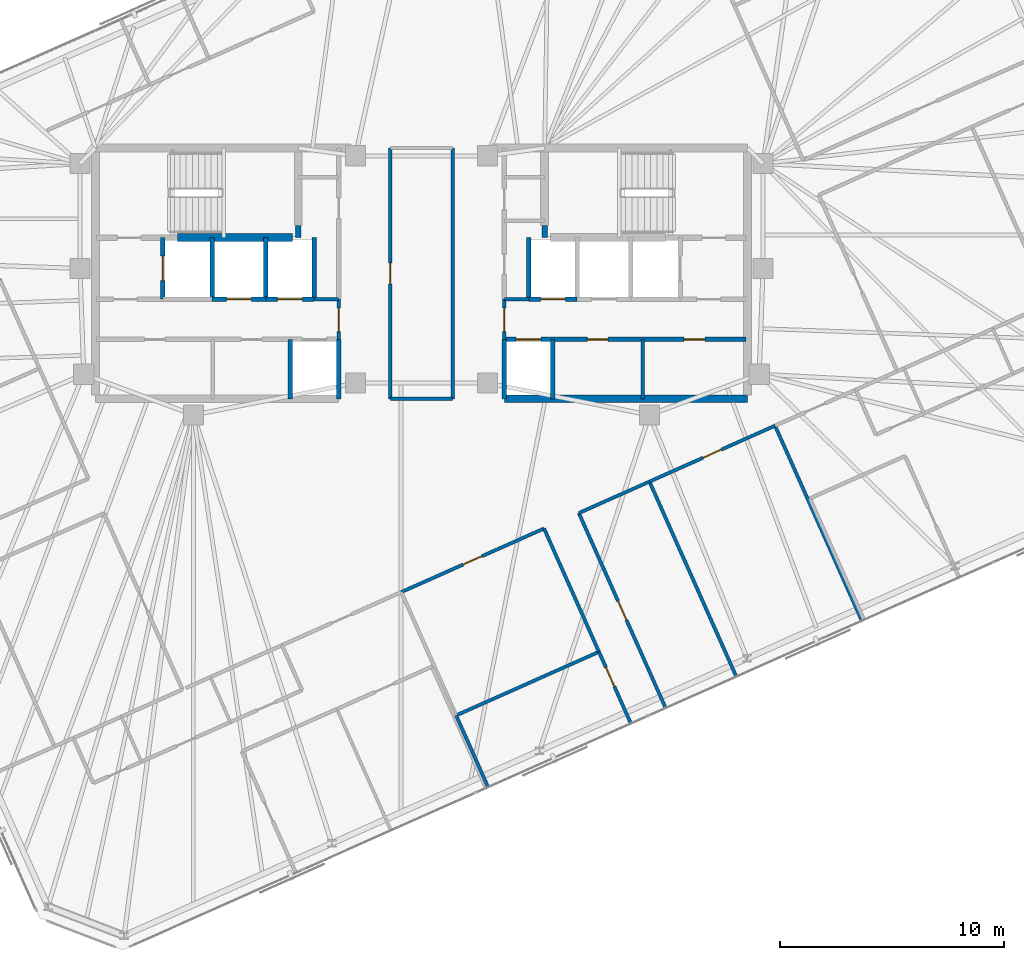
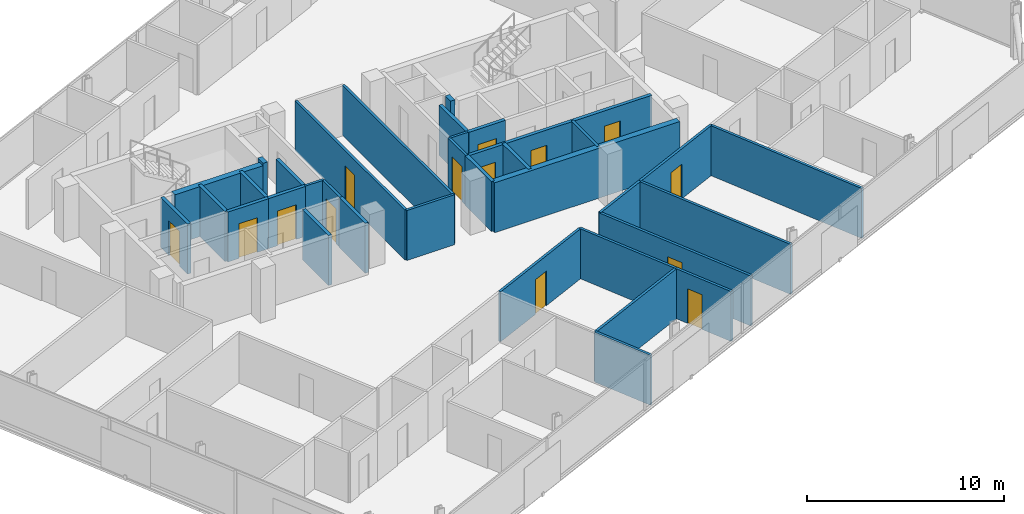
# One storey, part 14 of 18: 35 walls, 14 doors, 14 openings.
"""IFC4 building model written with IfcOpenShell, lengths in metres."""

from ifc_helpers import new_model, si_unit, direction, frame, frame_2d, origin, place, context, subcontext, project, spatial, rectangle, extrude, material, layer, layer_set, type_object, element, fill, save


model = new_model("IFC4")

# Units and contexts
model_context = context("Model", 3, precision=1e-05, world=origin(), true_north=direction((0.0, 1.0)))
body_context = subcontext(model_context, "Body", "Model", "MODEL_VIEW")
ifc_project = project(units=[si_unit("LENGTHUNIT", "METRE"), si_unit("AREAUNIT", "SQUARE_METRE"), si_unit("VOLUMEUNIT", "CUBIC_METRE"), si_unit("PLANEANGLEUNIT", "RADIAN"), si_unit("MASSUNIT", "GRAM", prefix="KILO")], contexts=[model_context])

# Site, building, storey
site_placement = place(None, origin())
site = spatial("IfcSite", under=ifc_project, at=site_placement, CompositionType="ELEMENT")
building_placement = place(site_placement, origin())
building = spatial("IfcBuilding", under=site, at=building_placement, Name="Menara Jurai Vektor", CompositionType="ELEMENT")
storey_placement = place(building_placement, frame((0.0, 0.0, 272.25)))
storey = spatial("IfcBuildingStorey", under=building, at=storey_placement, Name="L73", CompositionType="ELEMENT", Elevation=272.25)

# Wall
ifc_material_1 = material(Name="Concrete C40/50", Category="concrete")
ifc_layer_1 = layer(ifc_material_1, 0.25)
ifc_layer_set_1 = layer_set([ifc_layer_1], Name="Concrete C40/50")
wall_type_1 = type_object("IfcWallType", Name="INT-WALL-CORE-250", PredefinedType="STANDARD", material=ifc_layer_set_1)
wall_1_placement = place(storey_placement, frame((-5.5, 1.60009765625, 0.0), z_axis=(0.0, 0.0, 1.0), x_axis=(0.0, 1.0, 0.0)))
element("IfcWall", 1, at=wall_1_placement, inside=storey, type_object=wall_type_1, Name="Interior Wall IW-250 L73", PredefinedType="STANDARD", context=body_context, shape_type="SweptSolid", body=[
    extrude(rectangle(XDim=0.5498046875, YDim=0.25, at=frame_2d((0.27490234375, 0.0))), origin(), (0.0, 0.0, 1.0), 3.10009765625),
])

# Wall, opening, door
wall_2_placement = place(storey_placement, frame((-11.550048828125, -1.14990234375, 0.0), z_axis=(0.0, 0.0, 1.0), x_axis=(0.0, 1.0, 0.0)))
wall_2 = element("IfcWall", 2, at=wall_2_placement, inside=storey, type_object=wall_type_1, Name="Interior Wall IW-250 L73", PredefinedType="STANDARD", context=body_context, shape_type="SweptSolid", body=[
    extrude(rectangle(XDim=2.75, YDim=0.199951171875, at=frame_2d((1.375, 0.0))), origin(), (0.0, 0.0, 1.0), 3.10009765625),
])
opening_1_placement = place(wall_2_placement, frame((0.824951171875, 0.0, 0.0)))
opening_1 = element("IfcOpeningElement", 3, at=opening_1_placement, cuts=wall_2, Name="Opening LD-L73-FL1", PredefinedType="OPENING", context=body_context, shape_type="SweptSolid", body=[
    extrude(rectangle(XDim=1.10009765625, YDim=2.14990234375, at=frame_2d((0.550048828125, 1.074951171875))), frame((0.0, 0.10986328125, 0.0), z_axis=(0.0, -1.0, 0.0), x_axis=(1.0, 0.0, 0.0)), (0.0, 0.0, 1.0), 0.219970703125),
])
ifc_material_2 = material(Name="Stainless Steel Sliding Lift Landing Door", Category="steel")
door_type_1 = type_object("IfcDoorType", Name="DR-LIFT-FIRE-1100", OperationType="NOTDEFINED", PredefinedType="DOOR", material=ifc_material_2)
door_1_placement = place(opening_1_placement, origin())
door_1 = element("IfcDoor", 4, at=door_1_placement, inside=storey, type_object=door_type_1, Name="Lift Landing Door FL1 L73", OperationType="SLIDING_TO_RIGHT", OverallHeight=2.14990234375, OverallWidth=1.10009765625, PredefinedType="DOOR", context=body_context, shape_type="SweptSolid", body=[
    extrude(rectangle(XDim=1.10009765625, YDim=2.14990234375, at=frame_2d((0.550048828125, 1.074951171875))), frame((0.0, 0.02490234375, 0.0), z_axis=(0.0, -1.0, 0.0), x_axis=(1.0, 0.0, 0.0)), (0.0, 0.0, 1.0), 0.050048828125),
])
fill(opening_1, door_1)

# Walls
wall_3_placement = place(storey_placement, frame((-9.35009765625, -1.14990234375, 0.0), z_axis=(0.0, 0.0, 1.0), x_axis=(0.0, 1.0, 0.0)))
element("IfcWall", 5, at=wall_3_placement, inside=storey, type_object=wall_type_1, Name="Interior Wall IW-250 L73", PredefinedType="STANDARD", context=body_context, shape_type="SweptSolid", body=[
    extrude(rectangle(XDim=2.75, YDim=0.199951171875, at=frame_2d((1.375, 0.0))), origin(), (0.0, 0.0, 1.0), 3.10009765625),
])
wall_4_placement = place(storey_placement, frame((5.5, 1.60009765625, 0.0), z_axis=(0.0, 0.0, 1.0), x_axis=(0.0, 1.0, 0.0)))
element("IfcWall", 6, at=wall_4_placement, inside=storey, type_object=wall_type_1, Name="Interior Wall IW-250 L73", PredefinedType="STANDARD", context=body_context, shape_type="SweptSolid", body=[
    extrude(rectangle(XDim=0.5498046875, YDim=0.25, at=frame_2d((0.27490234375, 0.0))), origin(), (0.0, 0.0, 1.0), 3.10009765625),
])

# Wall, opening, door
ifc_material_3 = material(Name="Gypsum Fireboard Partition", Category="gypsum")
ifc_layer_2 = layer(ifc_material_3, 0.14990234375)
ifc_layer_set_2 = layer_set([ifc_layer_2], Name="Gypsum Fireboard Partition")
wall_type_2 = type_object("IfcWallType", Name="INT-WALL-CORR-150", PredefinedType="PARTITIONING", material=ifc_layer_set_2)
wall_5_placement = place(storey_placement, frame((-3.699951171875, -2.949951171875, 0.0), z_axis=(0.0, 0.0, 1.0), x_axis=(0.0, 1.0, 0.0)))
wall_5 = element("IfcWall", 7, at=wall_5_placement, inside=storey, type_object=wall_type_2, Name="Interior Wall IW-150 L73", PredefinedType="PARTITIONING", context=body_context, shape_type="SweptSolid", body=[
    extrude(rectangle(XDim=1.800048828125, YDim=0.14990234375, at=frame_2d((0.89990234375, 0.0))), origin(), (0.0, 0.0, 1.0), 3.10009765625),
])
opening_2_placement = place(wall_5_placement, frame((0.35009765625, 0.0, 0.0)))
opening_2 = element("IfcOpeningElement", 8, at=opening_2_placement, cuts=wall_5, Name="Opening D-L73-LLW", PredefinedType="OPENING", context=body_context, shape_type="SweptSolid", body=[
    extrude(rectangle(XDim=1.050048828125, YDim=2.179931640625, at=frame_2d((0.52490234375, 1.08984375))), frame((0.0, 0.0849609375, 0.0), z_axis=(0.0, -1.0, 0.0), x_axis=(1.0, 0.0, 0.0)), (0.0, 0.0, 1.0), 0.169921875),
])
ifc_material_4 = material(Name="Fire-Rated Timber Door", Category="wood")
door_type_2 = type_object("IfcDoorType", Name="DR-LOBBY-1050", OperationType="NOTDEFINED", PredefinedType="DOOR", material=ifc_material_4)
door_2_placement = place(opening_2_placement, origin())
door_2 = element("IfcDoor", 9, at=door_2_placement, inside=storey, type_object=door_type_2, Name="Lift Lobby Corridor Door W L73", OperationType="SINGLE_SWING_LEFT", OverallHeight=2.179931640625, OverallWidth=1.050048828125, PredefinedType="DOOR", context=body_context, shape_type="SweptSolid", body=[
    extrude(rectangle(XDim=1.050048828125, YDim=2.179931640625, at=frame_2d((0.52490234375, 1.08984375))), frame((0.0, 0.02490234375, 0.0), z_axis=(0.0, -1.0, 0.0), x_axis=(1.0, 0.0, 0.0)), (0.0, 0.0, 1.0), 0.050048828125),
])
fill(opening_2, door_2)

# Wall
wall_6_placement = place(storey_placement, frame((-4.7900390625, -1.14990234375, 0.0), z_axis=(0.0, 0.0, 1.0), x_axis=(1.0, 0.0, 0.0)))
element("IfcWall", 10, at=wall_6_placement, inside=storey, type_object=wall_type_2, Name="Interior Wall IW-150 L73", PredefinedType="PARTITIONING", context=body_context, shape_type="SweptSolid", body=[
    extrude(rectangle(XDim=1.090087890625, YDim=0.14990234375, at=frame_2d((0.544921875, 0.0))), origin(), (0.0, 0.0, 1.0), 3.10009765625),
])

# Wall, opening, door
wall_7_placement = place(storey_placement, frame((3.699951171875, -2.949951171875, 0.0), z_axis=(0.0, 0.0, 1.0), x_axis=(0.0, 1.0, 0.0)))
wall_7 = element("IfcWall", 11, at=wall_7_placement, inside=storey, type_object=wall_type_2, Name="Interior Wall IW-150 L73", PredefinedType="PARTITIONING", context=body_context, shape_type="SweptSolid", body=[
    extrude(rectangle(XDim=1.800048828125, YDim=0.14990234375, at=frame_2d((0.89990234375, 0.0))), origin(), (0.0, 0.0, 1.0), 3.10009765625),
])
opening_3_placement = place(wall_7_placement, frame((0.35009765625, 0.0, 0.0)))
opening_3 = element("IfcOpeningElement", 12, at=opening_3_placement, cuts=wall_7, Name="Opening D-L73-LLE", PredefinedType="OPENING", context=body_context, shape_type="SweptSolid", body=[
    extrude(rectangle(XDim=1.050048828125, YDim=2.179931640625, at=frame_2d((0.52490234375, 1.08984375))), frame((0.0, 0.0849609375, 0.0), z_axis=(0.0, -1.0, 0.0), x_axis=(1.0, 0.0, 0.0)), (0.0, 0.0, 1.0), 0.169921875),
])
door_3_placement = place(opening_3_placement, frame((1.050048828125, 0.0, 0.0), z_axis=(0.0, 0.0, 1.0), x_axis=(-1.0, 0.0, 0.0)))
door_3 = element("IfcDoor", 13, at=door_3_placement, inside=storey, type_object=door_type_2, Name="Lift Lobby Corridor Door E L73", OperationType="SINGLE_SWING_RIGHT", OverallHeight=2.179931640625, OverallWidth=1.050048828125, PredefinedType="DOOR", context=body_context, shape_type="SweptSolid", body=[
    extrude(rectangle(XDim=1.050048828125, YDim=2.179931640625, at=frame_2d((0.52490234375, 1.08984375))), frame((0.0, 0.02490234375, 0.0), z_axis=(0.0, -1.0, 0.0), x_axis=(1.0, 0.0, 0.0)), (0.0, 0.0, 1.0), 0.050048828125),
])
fill(opening_3, door_3)

# Walls
wall_8_placement = place(storey_placement, frame((3.699951171875, -1.14990234375, 0.0), z_axis=(0.0, 0.0, 1.0), x_axis=(1.0, 0.0, 0.0)))
element("IfcWall", 14, at=wall_8_placement, inside=storey, type_object=wall_type_2, Name="Interior Wall IW-150 L73", PredefinedType="PARTITIONING", context=body_context, shape_type="SweptSolid", body=[
    extrude(rectangle(XDim=1.090087890625, YDim=0.14990234375, at=frame_2d((0.544921875, 0.0))), origin(), (0.0, 0.0, 1.0), 3.10009765625),
])
wall_9_placement = place(storey_placement, frame((9.8798828125, -5.60009765625, 0.0), z_axis=(0.0, 0.0, 1.0), x_axis=(0.0, 1.0, 0.0)))
element("IfcWall", 15, at=wall_9_placement, inside=storey, type_object=wall_type_2, Name="Interior Wall IW-150 L73", PredefinedType="PARTITIONING", context=body_context, shape_type="SweptSolid", body=[
    extrude(rectangle(XDim=2.650146484375, YDim=0.14990234375, at=frame_2d((1.3251953125, 0.0))), origin(), (0.0, 0.0, 1.0), 3.10009765625),
])
wall_10_placement = place(storey_placement, frame((-1.389892578125, -5.60009765625, 0.0), z_axis=(0.0, 0.0, 1.0), x_axis=(0.999999996145, -8.7811731e-05, 0.0)))
element("IfcWall", 16, at=wall_10_placement, inside=storey, type_object=wall_type_2, Name="Interior Wall IW-150 L73", PredefinedType="PARTITIONING", context=body_context, shape_type="SweptSolid", body=[
    extrude(rectangle(XDim=2.7802734375, YDim=0.14990234375, at=frame_2d((1.39013671875, 0.0))), origin(), (0.0, 0.0, 1.0), 3.10009765625),
])

# Wall, opening, door
wall_11_placement = place(storey_placement, frame((-1.389892578125, -5.60009765625, 0.0), z_axis=(0.0, 0.0, 1.0), x_axis=(2.1797415e-05, 0.999999999762, 0.0)))
wall_11 = element("IfcWall", 17, at=wall_11_placement, inside=storey, type_object=wall_type_2, Name="Interior Wall IW-150 L73", PredefinedType="PARTITIONING", context=body_context, shape_type="SweptSolid", body=[
    extrude(rectangle(XDim=11.200439453125, YDim=0.14990234375, at=frame_2d((5.60009765625, 0.0))), origin(), (0.0, 0.0, 1.0), 3.10009765625),
])
opening_4_placement = place(wall_11_placement, frame((5.125244140625, 0.0, 0.0)))
opening_4 = element("IfcOpeningElement", 18, at=opening_4_placement, cuts=wall_11, Name="Opening D73-08", PredefinedType="OPENING", context=body_context, shape_type="SweptSolid", body=[
    extrude(rectangle(XDim=0.949951171875, YDim=2.14990234375, at=frame_2d((0.47509765625, 1.074951171875))), frame((0.0, 0.0849609375, 0.0), z_axis=(0.0, -1.0, 0.0), x_axis=(1.0, 0.0, 0.0)), (0.0, 0.0, 1.0), 0.169921875),
])
ifc_material_5 = material(Name="Solid Core Timber Fire Door", Category="wood")
door_type_3 = type_object("IfcDoorType", Name="DR-ENTRY-950", OperationType="NOTDEFINED", PredefinedType="DOOR", material=ifc_material_5)
door_4_placement = place(opening_4_placement, origin())
door_4 = element("IfcDoor", 19, at=door_4_placement, inside=storey, type_object=door_type_3, Name="Interior Door D73-08", OperationType="SINGLE_SWING_LEFT", OverallHeight=2.14990234375, OverallWidth=0.949951171875, PredefinedType="DOOR", context=body_context, shape_type="SweptSolid", body=[
    extrude(rectangle(XDim=0.949951171875, YDim=2.14990234375, at=frame_2d((0.47509765625, 1.074951171875))), frame((0.0, 0.02490234375, 0.0), z_axis=(0.0, -1.0, 0.0), x_axis=(1.0, 0.0, 0.0)), (0.0, 0.0, 1.0), 0.050048828125),
])
fill(opening_4, door_4)

# Wall
wall_12_placement = place(storey_placement, frame((1.390380859375, -5.600341796875, 0.0), z_axis=(0.0, 0.0, 1.0), x_axis=(-4.359578e-05, 0.99999999905, 0.0)))
element("IfcWall", 20, at=wall_12_placement, inside=storey, type_object=wall_type_2, Name="Interior Wall IW-150 L73", PredefinedType="PARTITIONING", context=body_context, shape_type="SweptSolid", body=[
    extrude(rectangle(XDim=11.2001953125, YDim=0.14990234375, at=frame_2d((5.60009765625, 0.0))), origin(), (0.0, 0.0, 1.0), 3.10009765625),
])

# Wall, opening, door
wall_13_placement = place(storey_placement, frame((9.3515625, -20.10302734375, 0.0), z_axis=(0.0, 0.0, 1.0), x_axis=(-0.406745199814, 0.913541647889, 0.0)))
wall_13 = element("IfcWall", 21, at=wall_13_placement, inside=storey, type_object=wall_type_2, Name="Interior Wall IW-150 L73", PredefinedType="PARTITIONING", context=body_context, shape_type="SweptSolid", body=[
    extrude(rectangle(XDim=3.509033203125, YDim=0.14990234375, at=frame_2d((1.75439453125, 0.0))), origin(), (0.0, 0.0, 1.0), 3.10009765625),
])
opening_5_placement = place(wall_13_placement, frame((1.82080078125, 0.0, 0.0)))
opening_5 = element("IfcOpeningElement", 22, at=opening_5_placement, cuts=wall_13, Name="Opening D73-30", PredefinedType="OPENING", context=body_context, shape_type="SweptSolid", body=[
    extrude(rectangle(XDim=0.919921875, YDim=2.14990234375, at=frame_2d((0.4599609375, 1.074951171875))), frame((0.0, 0.0849609375, 0.0), z_axis=(0.0, -1.0, 0.0), x_axis=(1.0, 0.0, 0.0)), (0.0, 0.0, 1.0), 0.169921875),
])
door_5_placement = place(opening_5_placement, origin())
door_5 = element("IfcDoor", 23, at=door_5_placement, inside=storey, type_object=door_type_3, Name="Interior Door D73-30", OperationType="SINGLE_SWING_LEFT", OverallHeight=2.14990234375, OverallWidth=0.919921875, PredefinedType="DOOR", context=body_context, shape_type="SweptSolid", body=[
    extrude(rectangle(XDim=0.919921875, YDim=2.14990234375, at=frame_2d((0.4599609375, 1.074951171875))), frame((0.0, 0.02490234375, 0.0), z_axis=(0.0, -1.0, 0.0), x_axis=(1.0, 0.0, 0.0)), (0.0, 0.0, 1.0), 0.050048828125),
])
fill(opening_5, door_5)

wall_14_placement = place(storey_placement, frame((-0.9033203125, -14.2314453125, 0.0), z_axis=(0.0, 0.0, 1.0), x_axis=(0.913538735702, 0.406751740466, 0.0)))
wall_14 = element("IfcWall", 24, at=wall_14_placement, inside=storey, type_object=wall_type_2, Name="Interior Wall IW-150 L73", PredefinedType="PARTITIONING", context=body_context, shape_type="SweptSolid", body=[
    extrude(rectangle(XDim=6.97998046875, YDim=0.14990234375, at=frame_2d((3.489990234375, 0.0))), origin(), (0.0, 0.0, 1.0), 3.10009765625),
])
opening_6_placement = place(wall_14_placement, frame((3.030029296875, 0.0, 0.0)))
opening_6 = element("IfcOpeningElement", 25, at=opening_6_placement, cuts=wall_14, Name="Opening D73-31", PredefinedType="OPENING", context=body_context, shape_type="SweptSolid", body=[
    extrude(rectangle(XDim=0.919921875, YDim=2.14990234375, at=frame_2d((0.4599609375, 1.074951171875))), frame((0.0, 0.0849609375, 0.0), z_axis=(0.0, -1.0, 0.0), x_axis=(1.0, 0.0, 0.0)), (0.0, 0.0, 1.0), 0.169921875),
])
door_6_placement = place(opening_6_placement, origin())
door_6 = element("IfcDoor", 26, at=door_6_placement, inside=storey, type_object=door_type_3, Name="Interior Door D73-31", OperationType="SINGLE_SWING_RIGHT", OverallHeight=2.14990234375, OverallWidth=0.919921875, PredefinedType="DOOR", context=body_context, shape_type="SweptSolid", body=[
    extrude(rectangle(XDim=0.919921875, YDim=2.14990234375, at=frame_2d((0.4599609375, 1.074951171875))), frame((0.0, 0.02490234375, 0.0), z_axis=(0.0, -1.0, 0.0), x_axis=(1.0, 0.0, 0.0)), (0.0, 0.0, 1.0), 0.050048828125),
])
fill(opening_6, door_6)

# Wall
wall_15_placement = place(storey_placement, frame((7.92431640625, -16.8974609375, 0.0), z_axis=(0.0, 0.0, 1.0), x_axis=(-0.406754846047, 0.91353735294, 0.0)))
element("IfcWall", 27, at=wall_15_placement, inside=storey, type_object=wall_type_2, Name="Interior Wall IW-150 L73", PredefinedType="PARTITIONING", context=body_context, shape_type="SweptSolid", body=[
    extrude(rectangle(XDim=6.026123046875, YDim=0.14990234375, at=frame_2d((3.01318359375, 0.0))), origin(), (0.0, 0.0, 1.0), 3.10009765625),
])

# Wall, opening, door
wall_16_placement = place(storey_placement, frame((10.904541015625, -19.41162109375, 0.0), z_axis=(0.0, 0.0, 1.0), x_axis=(-0.406729927653, 0.913548447512, 0.0)))
wall_16 = element("IfcWall", 28, at=wall_16_placement, inside=storey, type_object=wall_type_2, Name="Interior Wall IW-150 L73", PredefinedType="PARTITIONING", context=body_context, shape_type="SweptSolid", body=[
    extrude(rectangle(XDim=9.534912109375, YDim=0.14990234375, at=frame_2d((4.767578125, 0.0))), origin(), (0.0, 0.0, 1.0), 3.10009765625),
])
opening_7_placement = place(wall_16_placement, frame((4.3076171875, 0.0, 0.0)))
opening_7 = element("IfcOpeningElement", 29, at=opening_7_placement, cuts=wall_16, Name="Opening D73-32", PredefinedType="OPENING", context=body_context, shape_type="SweptSolid", body=[
    extrude(rectangle(XDim=0.919921875, YDim=2.14990234375, at=frame_2d((0.4599609375, 1.074951171875))), frame((0.0, 0.0849609375, 0.0), z_axis=(0.0, -1.0, 0.0), x_axis=(1.0, 0.0, 0.0)), (0.0, 0.0, 1.0), 0.169921875),
])
door_7_placement = place(opening_7_placement, origin())
door_7 = element("IfcDoor", 30, at=door_7_placement, inside=storey, type_object=door_type_3, Name="Interior Door D73-32", OperationType="SINGLE_SWING_LEFT", OverallHeight=2.14990234375, OverallWidth=0.919921875, PredefinedType="DOOR", context=body_context, shape_type="SweptSolid", body=[
    extrude(rectangle(XDim=0.919921875, YDim=2.14990234375, at=frame_2d((0.4599609375, 1.074951171875))), frame((0.0, 0.02490234375, 0.0), z_axis=(0.0, -1.0, 0.0), x_axis=(1.0, 0.0, 0.0)), (0.0, 0.0, 1.0), 0.050048828125),
])
fill(opening_7, door_7)

# Wall
wall_17_placement = place(storey_placement, frame((7.0263671875, -10.700927734375, 0.0), z_axis=(0.0, 0.0, 1.0), x_axis=(0.913534253733, 0.406761806536, 0.0)))
element("IfcWall", 31, at=wall_17_placement, inside=storey, type_object=wall_type_2, Name="Interior Wall IW-150 L73", PredefinedType="PARTITIONING", context=body_context, shape_type="SweptSolid", body=[
    extrude(rectangle(XDim=3.45166015625, YDim=0.14990234375, at=frame_2d((1.725830078125, 0.0))), origin(), (0.0, 0.0, 1.0), 3.10009765625),
])

# Wall, opening, door
wall_18_placement = place(storey_placement, frame((10.1796875, -9.296875, 0.0), z_axis=(0.0, 0.0, 1.0), x_axis=(0.913545641557, 0.406736229997, 0.0)))
wall_18 = element("IfcWall", 32, at=wall_18_placement, inside=storey, type_object=wall_type_2, Name="Interior Wall IW-150 L73", PredefinedType="PARTITIONING", context=body_context, shape_type="SweptSolid", body=[
    extrude(rectangle(XDim=6.13818359375, YDim=0.14990234375, at=frame_2d((3.069091796875, 0.0))), origin(), (0.0, 0.0, 1.0), 3.10009765625),
])
opening_8_placement = place(wall_18_placement, frame((2.60888671875, 0.0, 0.0)))
opening_8 = element("IfcOpeningElement", 33, at=opening_8_placement, cuts=wall_18, Name="Opening D73-33", PredefinedType="OPENING", context=body_context, shape_type="SweptSolid", body=[
    extrude(rectangle(XDim=0.919921875, YDim=2.14990234375, at=frame_2d((0.4599609375, 1.074951171875))), frame((0.0, 0.0849609375, 0.0), z_axis=(0.0, -1.0, 0.0), x_axis=(1.0, 0.0, 0.0)), (0.0, 0.0, 1.0), 0.169921875),
])
door_8_placement = place(opening_8_placement, origin())
door_8 = element("IfcDoor", 34, at=door_8_placement, inside=storey, type_object=door_type_3, Name="Interior Door D73-33", OperationType="SINGLE_SWING_RIGHT", OverallHeight=2.14990234375, OverallWidth=0.919921875, PredefinedType="DOOR", context=body_context, shape_type="SweptSolid", body=[
    extrude(rectangle(XDim=0.919921875, YDim=2.14990234375, at=frame_2d((0.4599609375, 1.074951171875))), frame((0.0, 0.02490234375, 0.0), z_axis=(0.0, -1.0, 0.0), x_axis=(1.0, 0.0, 0.0)), (0.0, 0.0, 1.0), 0.050048828125),
])
fill(opening_8, door_8)

# Walls
wall_19_placement = place(storey_placement, frame((2.974853515625, -22.942138671875, 0.0), z_axis=(0.0, 0.0, 1.0), x_axis=(-0.406745199814, 0.913541647889, 0.0)))
element("IfcWall", 35, at=wall_19_placement, inside=storey, type_object=wall_type_2, Name="Interior Wall IW-150 L73", PredefinedType="PARTITIONING", context=body_context, shape_type="SweptSolid", body=[
    extrude(rectangle(XDim=3.509033203125, YDim=0.14990234375, at=frame_2d((1.75439453125, 0.0))), origin(), (0.0, 0.0, 1.0), 3.10009765625),
])
wall_20_placement = place(storey_placement, frame((19.665283203125, -15.510986328125, 0.0), z_axis=(0.0, 0.0, 1.0), x_axis=(-0.406729927653, 0.913548447512, 0.0)))
element("IfcWall", 36, at=wall_20_placement, inside=storey, type_object=wall_type_2, Name="Interior Wall IW-150 L73", PredefinedType="PARTITIONING", context=body_context, shape_type="SweptSolid", body=[
    extrude(rectangle(XDim=9.534912109375, YDim=0.14990234375, at=frame_2d((4.767578125, 0.0))), origin(), (0.0, 0.0, 1.0), 3.10009765625),
])
wall_21_placement = place(storey_placement, frame((1.547607421875, -19.736572265625, 0.0), z_axis=(0.0, 0.0, 1.0), x_axis=(0.913544522324, 0.40673874383, 0.0)))
element("IfcWall", 37, at=wall_21_placement, inside=storey, type_object=wall_type_2, Name="Interior Wall IW-150 L73", PredefinedType="PARTITIONING", context=body_context, shape_type="SweptSolid", body=[
    extrude(rectangle(XDim=6.980224609375, YDim=0.14990234375, at=frame_2d((3.490234375, 0.0))), origin(), (0.0, 0.0, 1.0), 3.10009765625),
])
wall_22_placement = place(storey_placement, frame((14.05810546875, -18.007568359375, 0.0), z_axis=(0.0, 0.0, 1.0), x_axis=(-0.406751296215, 0.913538933504, 0.0)))
element("IfcWall", 38, at=wall_22_placement, inside=storey, type_object=wall_type_2, Name="Interior Wall IW-150 L73", PredefinedType="PARTITIONING", context=body_context, shape_type="SweptSolid", body=[
    extrude(rectangle(XDim=9.53515625, YDim=0.14990234375, at=frame_2d((4.767578125, 0.0))), origin(), (0.0, 0.0, 1.0), 3.10009765625),
])
ifc_layer_3 = layer(ifc_material_1, 0.199951171875)
ifc_layer_set_3 = layer_set([ifc_layer_3], Name="Concrete C40/50")
wall_type_3 = type_object("IfcWallType", Name="INT-WALL-SHAFT-200", PredefinedType="STANDARD", material=ifc_layer_set_3)
wall_23_placement = place(storey_placement, frame((-3.699951171875, -5.60009765625, 0.0), z_axis=(0.0, 0.0, 1.0), x_axis=(0.0, 1.0, 0.0)))
element("IfcWall", 39, at=wall_23_placement, inside=storey, type_object=wall_type_3, Name="Interior Wall IW-200 L73", PredefinedType="STANDARD", context=body_context, shape_type="SweptSolid", body=[
    extrude(rectangle(XDim=2.650146484375, YDim=0.199951171875, at=frame_2d((1.3251953125, 0.0))), origin(), (0.0, 0.0, 1.0), 3.10009765625),
])
wall_24_placement = place(storey_placement, frame((-6.949951171875, -1.14990234375, 0.0), z_axis=(0.0, 0.0, 1.0), x_axis=(0.0, 1.0, 0.0)))
element("IfcWall", 40, at=wall_24_placement, inside=storey, type_object=wall_type_3, Name="Interior Wall IW-200 L73", PredefinedType="STANDARD", context=body_context, shape_type="SweptSolid", body=[
    extrude(rectangle(XDim=2.75, YDim=0.199951171875, at=frame_2d((1.375, 0.0))), origin(), (0.0, 0.0, 1.0), 3.10009765625),
])

# Wall, opening, door
wall_25_placement = place(storey_placement, frame((-9.35009765625, -1.14990234375, 0.0), z_axis=(0.0, 0.0, 1.0), x_axis=(1.0, 0.0, 0.0)))
wall_25 = element("IfcWall", 41, at=wall_25_placement, inside=storey, type_object=wall_type_3, Name="Interior Wall IW-200 L73", PredefinedType="STANDARD", context=body_context, shape_type="SweptSolid", body=[
    extrude(rectangle(XDim=2.400146484375, YDim=0.199951171875, at=frame_2d((1.2001953125, 0.0))), origin(), (0.0, 0.0, 1.0), 3.10009765625),
])
opening_9_placement = place(wall_25_placement, frame((0.64990234375, 0.0, 0.0)))
opening_9 = element("IfcOpeningElement", 42, at=opening_9_placement, cuts=wall_25, Name="Opening LD-L73-SVL1", PredefinedType="OPENING", context=body_context, shape_type="SweptSolid", body=[
    extrude(rectangle(XDim=1.10009765625, YDim=2.14990234375, at=frame_2d((0.550048828125, 1.074951171875))), frame((0.0, 0.10986328125, 0.0), z_axis=(0.0, -1.0, 0.0), x_axis=(1.0, 0.0, 0.0)), (0.0, 0.0, 1.0), 0.219970703125),
])
ifc_material_6 = material(Name="Anodised Stainless Sliding Lift Landing Door", Category="steel")
door_type_4 = type_object("IfcDoorType", Name="DR-LIFT-PASS-1100", OperationType="NOTDEFINED", PredefinedType="DOOR", material=ifc_material_6)
door_9_placement = place(opening_9_placement, origin())
door_9 = element("IfcDoor", 43, at=door_9_placement, inside=storey, type_object=door_type_4, Name="Lift Landing Door SVL1 L73", OperationType="SLIDING_TO_RIGHT", OverallHeight=2.14990234375, OverallWidth=1.10009765625, PredefinedType="DOOR", context=body_context, shape_type="SweptSolid", body=[
    extrude(rectangle(XDim=1.10009765625, YDim=2.14990234375, at=frame_2d((0.550048828125, 1.074951171875))), frame((0.0, 0.02490234375, 0.0), z_axis=(0.0, -1.0, 0.0), x_axis=(1.0, 0.0, 0.0)), (0.0, 0.0, 1.0), 0.050048828125),
])
fill(opening_9, door_9)

# Wall
wall_26_placement = place(storey_placement, frame((-4.7900390625, -1.14990234375, 0.0), z_axis=(0.0, 0.0, 1.0), x_axis=(0.0, 1.0, 0.0)))
element("IfcWall", 44, at=wall_26_placement, inside=storey, type_object=wall_type_3, Name="Interior Wall IW-200 L73", PredefinedType="STANDARD", context=body_context, shape_type="SweptSolid", body=[
    extrude(rectangle(XDim=2.75, YDim=0.199951171875, at=frame_2d((1.375, 0.0))), origin(), (0.0, 0.0, 1.0), 3.10009765625),
])

# Wall, opening, door
wall_27_placement = place(storey_placement, frame((-6.949951171875, -1.14990234375, 0.0), z_axis=(0.0, 0.0, 1.0), x_axis=(1.0, 0.0, 0.0)))
wall_27 = element("IfcWall", 45, at=wall_27_placement, inside=storey, type_object=wall_type_3, Name="Interior Wall IW-200 L73", PredefinedType="STANDARD", context=body_context, shape_type="SweptSolid", body=[
    extrude(rectangle(XDim=2.159912109375, YDim=0.199951171875, at=frame_2d((1.080078125, 0.0))), origin(), (0.0, 0.0, 1.0), 3.10009765625),
])
opening_10_placement = place(wall_27_placement, frame((0.530029296875, 0.0, 0.0)))
opening_10 = element("IfcOpeningElement", 46, at=opening_10_placement, cuts=wall_27, Name="Opening LD-L73-PH2", PredefinedType="OPENING", context=body_context, shape_type="SweptSolid", body=[
    extrude(rectangle(XDim=1.10009765625, YDim=2.14990234375, at=frame_2d((0.550048828125, 1.074951171875))), frame((0.0, 0.10986328125, 0.0), z_axis=(0.0, -1.0, 0.0), x_axis=(1.0, 0.0, 0.0)), (0.0, 0.0, 1.0), 0.219970703125),
])
door_10_placement = place(opening_10_placement, origin())
door_10 = element("IfcDoor", 47, at=door_10_placement, inside=storey, type_object=door_type_4, Name="Lift Landing Door PH2 L73", OperationType="SLIDING_TO_RIGHT", OverallHeight=2.14990234375, OverallWidth=1.10009765625, PredefinedType="DOOR", context=body_context, shape_type="SweptSolid", body=[
    extrude(rectangle(XDim=1.10009765625, YDim=2.14990234375, at=frame_2d((0.550048828125, 1.074951171875))), frame((0.0, 0.02490234375, 0.0), z_axis=(0.0, -1.0, 0.0), x_axis=(1.0, 0.0, 0.0)), (0.0, 0.0, 1.0), 0.050048828125),
])
fill(opening_10, door_10)

# Walls
for number, where, z_axis, x_axis, name in (
    (48, (-5.860107421875, -5.60009765625, 0.0), (0.0, 0.0, 1.0), (0.0, 1.0, 0.0), "Interior Wall IW-200 L73"),
    (49, (3.699951171875, -5.60009765625, 0.0), (0.0, 0.0, 1.0), (0.0, 1.0, 0.0), "Interior Wall IW-200 L73"),
):
    element("IfcWall", number, at=place(storey_placement, frame(where, z_axis=z_axis, x_axis=x_axis)), inside=storey, type_object=wall_type_3, Name=name, PredefinedType="STANDARD", context=body_context, shape_type="SweptSolid", body=[
        extrude(rectangle(XDim=2.650146484375, YDim=0.199951171875, at=frame_2d((1.3251953125, 0.0))), origin(), (0.0, 0.0, 1.0), 3.10009765625),
    ])
wall_28_placement = place(storey_placement, frame((4.7900390625, -1.14990234375, 0.0), z_axis=(0.0, 0.0, 1.0), x_axis=(0.0, 1.0, 0.0)))
element("IfcWall", 50, at=wall_28_placement, inside=storey, type_object=wall_type_3, Name="Interior Wall IW-200 L73", PredefinedType="STANDARD", context=body_context, shape_type="SweptSolid", body=[
    extrude(rectangle(XDim=2.75, YDim=0.199951171875, at=frame_2d((1.375, 0.0))), origin(), (0.0, 0.0, 1.0), 3.10009765625),
])

# Wall, opening, door
wall_29_placement = place(storey_placement, frame((4.7900390625, -1.14990234375, 0.0), z_axis=(0.0, 0.0, 1.0), x_axis=(1.0, 0.0, 0.0)))
wall_29 = element("IfcWall", 51, at=wall_29_placement, inside=storey, type_object=wall_type_3, Name="Interior Wall IW-200 L73", PredefinedType="STANDARD", context=body_context, shape_type="SweptSolid", body=[
    extrude(rectangle(XDim=2.159912109375, YDim=0.199951171875, at=frame_2d((1.080078125, 0.0))), origin(), (0.0, 0.0, 1.0), 3.10009765625),
])
opening_11_placement = place(wall_29_placement, frame((0.530029296875, 0.0, 0.0)))
opening_11 = element("IfcOpeningElement", 52, at=opening_11_placement, cuts=wall_29, Name="Opening LD-L73-PH4", PredefinedType="OPENING", context=body_context, shape_type="SweptSolid", body=[
    extrude(rectangle(XDim=1.10009765625, YDim=2.14990234375, at=frame_2d((0.550048828125, 1.074951171875))), frame((0.0, 0.10986328125, 0.0), z_axis=(0.0, -1.0, 0.0), x_axis=(1.0, 0.0, 0.0)), (0.0, 0.0, 1.0), 0.219970703125),
])
door_11_placement = place(opening_11_placement, origin())
door_11 = element("IfcDoor", 53, at=door_11_placement, inside=storey, type_object=door_type_4, Name="Lift Landing Door PH4 L73", OperationType="SLIDING_TO_LEFT", OverallHeight=2.14990234375, OverallWidth=1.10009765625, PredefinedType="DOOR", context=body_context, shape_type="SweptSolid", body=[
    extrude(rectangle(XDim=1.10009765625, YDim=2.14990234375, at=frame_2d((0.550048828125, 1.074951171875))), frame((0.0, 0.02490234375, 0.0), z_axis=(0.0, -1.0, 0.0), x_axis=(1.0, 0.0, 0.0)), (0.0, 0.0, 1.0), 0.050048828125),
])
fill(opening_11, door_11)

# Wall, openings, doors
wall_30_placement = place(storey_placement, frame((3.699951171875, -2.949951171875, 0.0), z_axis=(0.0, 0.0, 1.0), x_axis=(1.0, 0.0, 0.0)))
wall_30 = element("IfcWall", 54, at=wall_30_placement, inside=storey, type_object=wall_type_3, Name="Interior Wall IW-200 L73", PredefinedType="STANDARD", context=body_context, shape_type="SweptSolid", body=[
    extrude(rectangle(XDim=10.800048828125, YDim=0.199951171875, at=frame_2d((5.39990234375, 0.0))), origin(), (0.0, 0.0, 1.0), 3.10009765625),
])
opening_12_placement = place(wall_30_placement, frame((0.530029296875, 0.0, 0.0)))
opening_12 = element("IfcOpeningElement", 55, at=opening_12_placement, cuts=wall_30, Name="Opening LD-L73-PH3", PredefinedType="OPENING", context=body_context, shape_type="SweptSolid", body=[
    extrude(rectangle(XDim=1.10009765625, YDim=2.14990234375, at=frame_2d((0.550048828125, 1.074951171875))), frame((0.0, 0.10986328125, 0.0), z_axis=(0.0, -1.0, 0.0), x_axis=(1.0, 0.0, 0.0)), (0.0, 0.0, 1.0), 0.219970703125),
])
opening_13_placement = place(wall_30_placement, frame((3.7099609375, 0.0, 0.0)))
opening_13 = element("IfcOpeningElement", 56, at=opening_13_placement, cuts=wall_30, Name="Opening D73-04", PredefinedType="OPENING", context=body_context, shape_type="SweptSolid", body=[
    extrude(rectangle(XDim=0.919921875, YDim=2.14990234375, at=frame_2d((0.4599609375, 1.074951171875))), frame((0.0, 0.10986328125, 0.0), z_axis=(0.0, -1.0, 0.0), x_axis=(1.0, 0.0, 0.0)), (0.0, 0.0, 1.0), 0.219970703125),
])
opening_14_placement = place(wall_30_placement, frame((8.030029296875, 0.0, 0.0)))
opening_14 = element("IfcOpeningElement", 57, at=opening_14_placement, cuts=wall_30, Name="Opening D73-05", PredefinedType="OPENING", context=body_context, shape_type="SweptSolid", body=[
    extrude(rectangle(XDim=0.919921875, YDim=2.14990234375, at=frame_2d((0.4599609375, 1.074951171875))), frame((0.0, 0.10986328125, 0.0), z_axis=(0.0, -1.0, 0.0), x_axis=(1.0, 0.0, 0.0)), (0.0, 0.0, 1.0), 0.219970703125),
])
door_12_placement = place(opening_13_placement, origin())
door_12 = element("IfcDoor", 58, at=door_12_placement, inside=storey, type_object=door_type_3, Name="Interior Door D73-04", OperationType="SINGLE_SWING_LEFT", OverallHeight=2.14990234375, OverallWidth=0.919921875, PredefinedType="DOOR", context=body_context, shape_type="SweptSolid", body=[
    extrude(rectangle(XDim=0.919921875, YDim=2.14990234375, at=frame_2d((0.4599609375, 1.074951171875))), frame((0.0, 0.02490234375, 0.0), z_axis=(0.0, -1.0, 0.0), x_axis=(1.0, 0.0, 0.0)), (0.0, 0.0, 1.0), 0.050048828125),
])
fill(opening_13, door_12)
door_13_placement = place(opening_14_placement, origin())
door_13 = element("IfcDoor", 59, at=door_13_placement, inside=storey, type_object=door_type_3, Name="Interior Door D73-05", OperationType="SINGLE_SWING_RIGHT", OverallHeight=2.14990234375, OverallWidth=0.919921875, PredefinedType="DOOR", context=body_context, shape_type="SweptSolid", body=[
    extrude(rectangle(XDim=0.919921875, YDim=2.14990234375, at=frame_2d((0.4599609375, 1.074951171875))), frame((0.0, 0.02490234375, 0.0), z_axis=(0.0, -1.0, 0.0), x_axis=(1.0, 0.0, 0.0)), (0.0, 0.0, 1.0), 0.050048828125),
])
fill(opening_14, door_13)
door_14_placement = place(opening_12_placement, origin())
door_14 = element("IfcDoor", 60, at=door_14_placement, inside=storey, type_object=door_type_4, Name="Lift Landing Door PH3 L73", OperationType="SLIDING_TO_RIGHT", OverallHeight=2.14990234375, OverallWidth=1.10009765625, PredefinedType="DOOR", context=body_context, shape_type="SweptSolid", body=[
    extrude(rectangle(XDim=1.10009765625, YDim=2.14990234375, at=frame_2d((0.550048828125, 1.074951171875))), frame((0.0, 0.02490234375, 0.0), z_axis=(0.0, -1.0, 0.0), x_axis=(1.0, 0.0, 0.0)), (0.0, 0.0, 1.0), 0.050048828125),
])
fill(opening_12, door_14)

# Walls
wall_31_placement = place(storey_placement, frame((5.860107421875, -5.60009765625, 0.0), z_axis=(0.0, 0.0, 1.0), x_axis=(0.0, 1.0, 0.0)))
element("IfcWall", 61, at=wall_31_placement, inside=storey, type_object=wall_type_3, Name="Interior Wall IW-200 L73", PredefinedType="STANDARD", context=body_context, shape_type="SweptSolid", body=[
    extrude(rectangle(XDim=2.650146484375, YDim=0.199951171875, at=frame_2d((1.3251953125, 0.0))), origin(), (0.0, 0.0, 1.0), 3.10009765625),
])
ifc_material_7 = material(Name="Concrete C50/60", Category="concrete")
ifc_layer_4 = layer(ifc_material_7, 0.35009765625)
ifc_layer_set_4 = layer_set([ifc_layer_4], Name="Concrete C50/60")
wall_type_4 = type_object("IfcWallType", Name="STR-WALL-CORE350", PredefinedType="SHEAR", material=ifc_layer_set_4)
wall_32_placement = place(storey_placement, frame((-10.89990234375, 1.60009765625, 0.0), z_axis=(0.0, 0.0, 1.0), x_axis=(1.0, 0.0, 0.0)))
element("IfcWall", 62, at=wall_32_placement, inside=storey, type_object=wall_type_4, Name="Core Shear Wall CW-W-STS L73", PredefinedType="SHEAR", context=body_context, shape_type="SweptSolid", body=[
    extrude(rectangle(XDim=5.14990234375, YDim=0.35009765625, at=frame_2d((2.574951171875, 0.0))), origin(), (0.0, 0.0, 1.0), 3.10009765625),
])
wall_33_placement = place(storey_placement, frame((3.699951171875, -5.60009765625, 0.0), z_axis=(0.0, 0.0, 1.0), x_axis=(1.0, 0.0, 0.0)))
element("IfcWall", 63, at=wall_33_placement, inside=storey, type_object=wall_type_4, Name="Core Shear Wall CW-E-S L73", PredefinedType="SHEAR", context=body_context, shape_type="SweptSolid", body=[
    extrude(rectangle(XDim=10.860107421875, YDim=0.35009765625, at=frame_2d((5.43017578125, 0.0))), origin(), (0.0, 0.0, 1.0), 3.10009765625),
])

save(model, "model.ifc")
